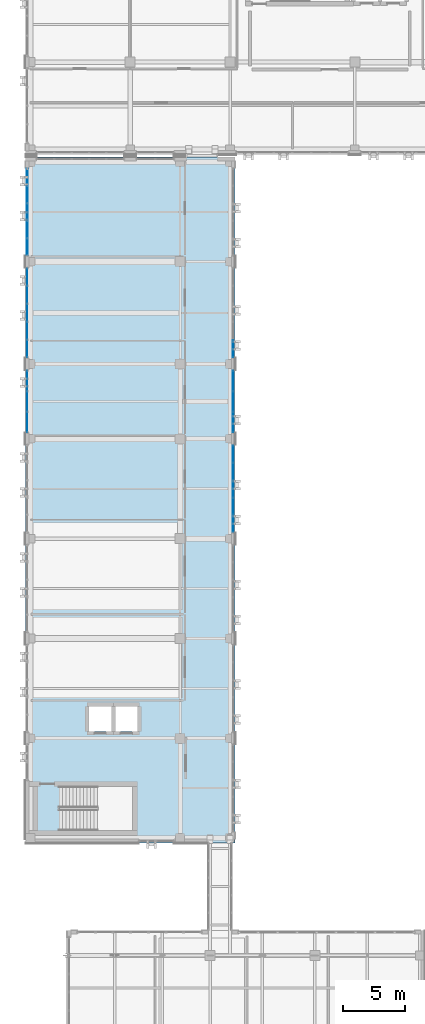
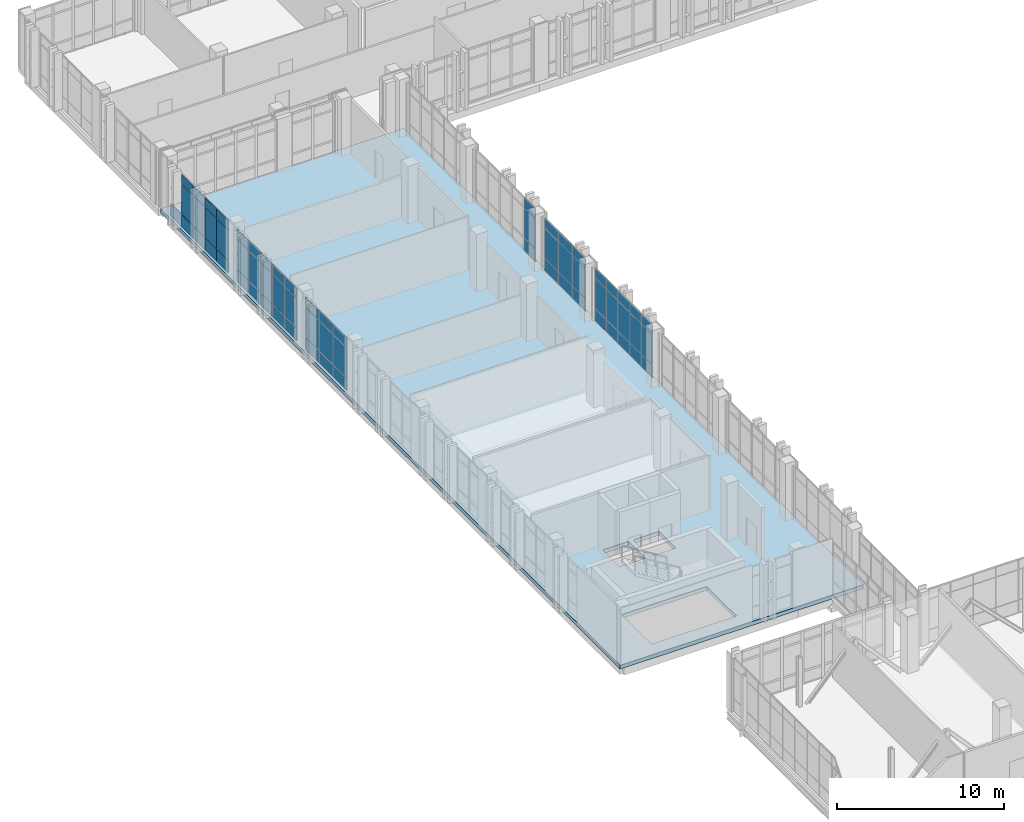
# One storey, part 123 of 165: 64 plates, 1 slab, 6 elements without a shape of their own.
"""IFC4 building model written with IfcOpenShell, lengths in metres."""

from ifc_helpers import new_model, si_unit, direction, frame, origin, origin_2d, place, context, subcontext, project, spatial, polyline, rectangle, outline, extrude, material, layer, layer_set, type_object, element, aggregate, save


model = new_model("IFC4")

# Units and contexts
model_context = context("Model", 3, precision=1e-05, world=origin(), true_north=direction((0.0, 1.0)))
body_context = subcontext(model_context, "Body", "Model", "MODEL_VIEW")
ifc_project = project(units=[si_unit("LENGTHUNIT", "METRE"), si_unit("AREAUNIT", "SQUARE_METRE"), si_unit("VOLUMEUNIT", "CUBIC_METRE"), si_unit("PLANEANGLEUNIT", "RADIAN"), si_unit("MASSUNIT", "GRAM", prefix="KILO")], contexts=[model_context])

# Site, building, storey
site_placement = place(None, origin())
site = spatial("IfcSite", under=ifc_project, at=site_placement, CompositionType="ELEMENT")
building_placement = place(site_placement, origin())
building = spatial("IfcBuilding", under=site, at=building_placement, Name="Qalavern Law Courts", CompositionType="ELEMENT")
storey_placement = place(building_placement, frame((0.0, 0.0, 14.39990234375)))
storey = spatial("IfcBuildingStorey", under=building, at=storey_placement, Name="L03", CompositionType="ELEMENT", Elevation=14.39990234375)

# Curtain wall, plates
ifc_material_1 = material(Name="Anodised aluminium and insulated glazing", Category="aluminium")
ifc_layer_1 = layer(ifc_material_1, 0.172119140625)
ifc_layer_set_1 = layer_set([ifc_layer_1], Name="Anodised aluminium and insulated glazing")
curtain_wall_type = type_object("IfcCurtainWallType", Name="ENV-CW-COURT", PredefinedType="USERDEFINED", material=ifc_layer_set_1)
curtain_wall_1_placement = place(storey_placement, origin())
curtain_wall_1 = element("IfcCurtainWall", 1, at=curtain_wall_1_placement, inside=storey, type_object=curtain_wall_type, Name="V3 unitised curtain wall L03 west 2", ObjectType="UNITISED CURTAIN WALL", PredefinedType="USERDEFINED")
ifc_material_2 = material(Name="Insulated low-E acoustic glazing", Category="glass")
ifc_layer_2 = layer(ifc_material_2, 0.02392578125)
ifc_layer_set_2 = layer_set([ifc_layer_2], Name="Insulated low-E acoustic glazing")
plate_type_1 = type_object("IfcPlateType", Name="ENV-CWP-24", PredefinedType="CURTAIN_PANEL", material=ifc_layer_set_2)
plate_1_placement = place(storey_placement, frame((2.1474609375, 86.367919921875, 0.048095703125), z_axis=(0.0, 0.0, 1.0), x_axis=(0.0, -1.0, 0.0)))
plate_1 = element("IfcPlate", 2, at=plate_1_placement, type_object=plate_type_1, Name="CW-03 panel 1.1", PredefinedType="CURTAIN_PANEL", context=body_context, shape_type="SweptSolid", body=[
    extrude(rectangle(XDim=1.367919921875, YDim=0.02392578125, at=origin_2d()), origin(), (0.0, 0.0, 1.0), 0.8779296875),
])
plate_2_placement = place(storey_placement, frame((2.1474609375, 86.367919921875, 0.97412109375), z_axis=(0.0, 0.0, 1.0), x_axis=(0.0, -1.0, 0.0)))
plate_2 = element("IfcPlate", 3, at=plate_2_placement, type_object=plate_type_1, Name="CW-03 panel 1.2", PredefinedType="CURTAIN_PANEL", context=body_context, shape_type="SweptSolid", body=[
    extrude(rectangle(XDim=1.367919921875, YDim=0.02392578125, at=origin_2d()), origin(), (0.0, 0.0, 1.0), 2.172119140625),
])
plate_3_placement = place(storey_placement, frame((2.1474609375, 86.367919921875, 3.1943359375), z_axis=(0.0, 0.0, 1.0), x_axis=(0.0, -1.0, 0.0)))
plate_3 = element("IfcPlate", 4, at=plate_3_placement, type_object=plate_type_1, Name="CW-03 panel 1.3", PredefinedType="CURTAIN_PANEL", context=body_context, shape_type="SweptSolid", body=[
    extrude(rectangle(XDim=1.367919921875, YDim=0.02392578125, at=origin_2d()), origin(), (0.0, 0.0, 1.0), 0.677978515625),
])
plate_4_placement = place(storey_placement, frame((2.1474609375, 84.93994140625, 0.048095703125), z_axis=(0.0, 0.0, 1.0), x_axis=(0.0, -1.0, 0.0)))
plate_4 = element("IfcPlate", 5, at=plate_4_placement, type_object=plate_type_1, Name="CW-03 panel 2.1", PredefinedType="CURTAIN_PANEL", context=body_context, shape_type="SweptSolid", body=[
    extrude(rectangle(XDim=1.39208984375, YDim=0.02392578125, at=origin_2d()), origin(), (0.0, 0.0, 1.0), 0.8779296875),
])
plate_5_placement = place(storey_placement, frame((2.1474609375, 84.93994140625, 0.97412109375), z_axis=(0.0, 0.0, 1.0), x_axis=(0.0, -1.0, 0.0)))
plate_5 = element("IfcPlate", 6, at=plate_5_placement, type_object=plate_type_1, Name="CW-03 panel 2.2", PredefinedType="CURTAIN_PANEL", context=body_context, shape_type="SweptSolid", body=[
    extrude(rectangle(XDim=1.39208984375, YDim=0.02392578125, at=origin_2d()), origin(), (0.0, 0.0, 1.0), 2.172119140625),
])
plate_6_placement = place(storey_placement, frame((2.1474609375, 84.93994140625, 3.1943359375), z_axis=(0.0, 0.0, 1.0), x_axis=(0.0, -1.0, 0.0)))
plate_6 = element("IfcPlate", 7, at=plate_6_placement, type_object=plate_type_1, Name="CW-03 panel 2.3", PredefinedType="CURTAIN_PANEL", context=body_context, shape_type="SweptSolid", body=[
    extrude(rectangle(XDim=1.39208984375, YDim=0.02392578125, at=origin_2d()), origin(), (0.0, 0.0, 1.0), 0.677978515625),
])
plate_7_placement = place(storey_placement, frame((2.1474609375, 83.5, 0.048095703125), z_axis=(0.0, 0.0, 1.0), x_axis=(0.0, -1.0, 0.0)))
plate_7 = element("IfcPlate", 8, at=plate_7_placement, type_object=plate_type_1, Name="CW-03 panel 3.1", PredefinedType="CURTAIN_PANEL", context=body_context, shape_type="SweptSolid", body=[
    extrude(rectangle(XDim=1.39208984375, YDim=0.02392578125, at=origin_2d()), origin(), (0.0, 0.0, 1.0), 0.8779296875),
])
plate_8_placement = place(storey_placement, frame((2.1474609375, 83.5, 0.97412109375), z_axis=(0.0, 0.0, 1.0), x_axis=(0.0, -1.0, 0.0)))
plate_8 = element("IfcPlate", 9, at=plate_8_placement, type_object=plate_type_1, Name="CW-03 panel 3.2", PredefinedType="CURTAIN_PANEL", context=body_context, shape_type="SweptSolid", body=[
    extrude(rectangle(XDim=1.39208984375, YDim=0.02392578125, at=origin_2d()), origin(), (0.0, 0.0, 1.0), 2.172119140625),
])
plate_9_placement = place(storey_placement, frame((2.1474609375, 83.5, 3.1943359375), z_axis=(0.0, 0.0, 1.0), x_axis=(0.0, -1.0, 0.0)))
plate_9 = element("IfcPlate", 10, at=plate_9_placement, type_object=plate_type_1, Name="CW-03 panel 3.3", PredefinedType="CURTAIN_PANEL", context=body_context, shape_type="SweptSolid", body=[
    extrude(rectangle(XDim=1.39208984375, YDim=0.02392578125, at=origin_2d()), origin(), (0.0, 0.0, 1.0), 0.677978515625),
])
plate_10_placement = place(storey_placement, frame((2.1474609375, 82.06005859375, 0.048095703125), z_axis=(0.0, 0.0, 1.0), x_axis=(0.0, -1.0, 0.0)))
plate_10 = element("IfcPlate", 11, at=plate_10_placement, type_object=plate_type_1, Name="CW-03 panel 4.1", PredefinedType="CURTAIN_PANEL", context=body_context, shape_type="SweptSolid", body=[
    extrude(rectangle(XDim=1.39208984375, YDim=0.02392578125, at=origin_2d()), origin(), (0.0, 0.0, 1.0), 0.8779296875),
])
plate_11_placement = place(storey_placement, frame((2.1474609375, 82.06005859375, 0.97412109375), z_axis=(0.0, 0.0, 1.0), x_axis=(0.0, -1.0, 0.0)))
plate_11 = element("IfcPlate", 12, at=plate_11_placement, type_object=plate_type_1, Name="CW-03 panel 4.2", PredefinedType="CURTAIN_PANEL", context=body_context, shape_type="SweptSolid", body=[
    extrude(rectangle(XDim=1.39208984375, YDim=0.02392578125, at=origin_2d()), origin(), (0.0, 0.0, 1.0), 2.172119140625),
])
plate_12_placement = place(storey_placement, frame((2.1474609375, 82.06005859375, 3.1943359375), z_axis=(0.0, 0.0, 1.0), x_axis=(0.0, -1.0, 0.0)))
plate_12 = element("IfcPlate", 13, at=plate_12_placement, type_object=plate_type_1, Name="CW-03 panel 4.3", PredefinedType="CURTAIN_PANEL", context=body_context, shape_type="SweptSolid", body=[
    extrude(rectangle(XDim=1.39208984375, YDim=0.02392578125, at=origin_2d()), origin(), (0.0, 0.0, 1.0), 0.677978515625),
])
plate_13_placement = place(storey_placement, frame((2.1474609375, 80.632080078125, 0.048095703125), z_axis=(0.0, 0.0, 1.0), x_axis=(0.0, -1.0, 0.0)))
plate_13 = element("IfcPlate", 14, at=plate_13_placement, type_object=plate_type_1, Name="CW-03 panel 5.1", PredefinedType="CURTAIN_PANEL", context=body_context, shape_type="SweptSolid", body=[
    extrude(rectangle(XDim=1.367919921875, YDim=0.02392578125, at=origin_2d()), origin(), (0.0, 0.0, 1.0), 0.8779296875),
])
plate_14_placement = place(storey_placement, frame((2.1474609375, 80.632080078125, 0.97412109375), z_axis=(0.0, 0.0, 1.0), x_axis=(0.0, -1.0, 0.0)))
plate_14 = element("IfcPlate", 15, at=plate_14_placement, type_object=plate_type_1, Name="CW-03 panel 5.2", PredefinedType="CURTAIN_PANEL", context=body_context, shape_type="SweptSolid", body=[
    extrude(rectangle(XDim=1.367919921875, YDim=0.02392578125, at=origin_2d()), origin(), (0.0, 0.0, 1.0), 2.172119140625),
])
plate_15_placement = place(storey_placement, frame((2.1474609375, 80.632080078125, 3.1943359375), z_axis=(0.0, 0.0, 1.0), x_axis=(0.0, -1.0, 0.0)))
plate_15 = element("IfcPlate", 16, at=plate_15_placement, type_object=plate_type_1, Name="CW-03 panel 5.3", PredefinedType="CURTAIN_PANEL", context=body_context, shape_type="SweptSolid", body=[
    extrude(rectangle(XDim=1.367919921875, YDim=0.02392578125, at=origin_2d()), origin(), (0.0, 0.0, 1.0), 0.677978515625),
])
aggregate(curtain_wall_1, [plate_1, plate_2, plate_3, plate_4, plate_5, plate_6, plate_7, plate_8, plate_9, plate_10, plate_11, plate_12, plate_13, plate_14, plate_15])

curtain_wall_2_placement = place(storey_placement, origin())
curtain_wall_2 = element("IfcCurtainWall", 17, at=curtain_wall_2_placement, inside=storey, type_object=curtain_wall_type, Name="V3 unitised curtain wall L03 west 3", ObjectType="UNITISED CURTAIN WALL", PredefinedType="USERDEFINED")
ifc_layer_3 = layer(ifc_material_2, 0.028076171875)
ifc_layer_set_3 = layer_set([ifc_layer_3], Name="Insulated low-E acoustic glazing")
plate_type_2 = type_object("IfcPlateType", Name="ENV-CWP-28", PredefinedType="CURTAIN_PANEL", material=ifc_layer_set_3)
plate_16_placement = place(storey_placement, frame((2.1474609375, 78.0546875, 0.048095703125), z_axis=(0.0, 0.0, 1.0), x_axis=(0.0, -1.0, 0.0)))
plate_16 = element("IfcPlate", 18, at=plate_16_placement, type_object=plate_type_2, Name="CW-03 panel 1.1", PredefinedType="CURTAIN_PANEL", context=body_context, shape_type="SweptSolid", body=[
    extrude(rectangle(XDim=1.5947265625, YDim=0.028076171875, at=origin_2d()), origin(), (0.0, 0.0, 1.0), 0.8779296875),
])
plate_17_placement = place(storey_placement, frame((2.1474609375, 78.0546875, 0.97412109375), z_axis=(0.0, 0.0, 1.0), x_axis=(0.0, -1.0, 0.0)))
plate_17 = element("IfcPlate", 19, at=plate_17_placement, type_object=plate_type_2, Name="CW-03 panel 1.2", PredefinedType="CURTAIN_PANEL", context=body_context, shape_type="SweptSolid", body=[
    extrude(rectangle(XDim=1.5947265625, YDim=0.028076171875, at=origin_2d()), origin(), (0.0, 0.0, 1.0), 2.172119140625),
])
plate_18_placement = place(storey_placement, frame((2.1474609375, 78.0546875, 3.1943359375), z_axis=(0.0, 0.0, 1.0), x_axis=(0.0, -1.0, 0.0)))
plate_18 = element("IfcPlate", 20, at=plate_18_placement, type_object=plate_type_2, Name="CW-03 panel 1.3", PredefinedType="CURTAIN_PANEL", context=body_context, shape_type="SweptSolid", body=[
    extrude(rectangle(XDim=1.5947265625, YDim=0.028076171875, at=origin_2d()), origin(), (0.0, 0.0, 1.0), 0.677978515625),
])
plate_19_placement = place(storey_placement, frame((2.1474609375, 76.39990234375, 0.048095703125), z_axis=(0.0, 0.0, 1.0), x_axis=(0.0, -1.0, 0.0)))
plate_19 = element("IfcPlate", 21, at=plate_19_placement, type_object=plate_type_2, Name="CW-03 panel 2.1", PredefinedType="CURTAIN_PANEL", context=body_context, shape_type="SweptSolid", body=[
    extrude(rectangle(XDim=1.61865234375, YDim=0.028076171875, at=origin_2d()), origin(), (0.0, 0.0, 1.0), 0.8779296875),
])
plate_20_placement = place(storey_placement, frame((2.1474609375, 76.39990234375, 0.97412109375), z_axis=(0.0, 0.0, 1.0), x_axis=(0.0, -1.0, 0.0)))
plate_20 = element("IfcPlate", 22, at=plate_20_placement, type_object=plate_type_2, Name="CW-03 panel 2.2", PredefinedType="CURTAIN_PANEL", context=body_context, shape_type="SweptSolid", body=[
    extrude(rectangle(XDim=1.61865234375, YDim=0.028076171875, at=origin_2d()), origin(), (0.0, 0.0, 1.0), 2.172119140625),
])
plate_21_placement = place(storey_placement, frame((2.1474609375, 76.39990234375, 3.1943359375), z_axis=(0.0, 0.0, 1.0), x_axis=(0.0, -1.0, 0.0)))
plate_21 = element("IfcPlate", 23, at=plate_21_placement, type_object=plate_type_2, Name="CW-03 panel 2.3", PredefinedType="CURTAIN_PANEL", context=body_context, shape_type="SweptSolid", body=[
    extrude(rectangle(XDim=1.61865234375, YDim=0.028076171875, at=origin_2d()), origin(), (0.0, 0.0, 1.0), 0.677978515625),
])
plate_22_placement = place(storey_placement, frame((2.1474609375, 74.745361328125, 0.048095703125), z_axis=(0.0, 0.0, 1.0), x_axis=(0.0, -1.0, 0.0)))
plate_22 = element("IfcPlate", 24, at=plate_22_placement, type_object=plate_type_2, Name="CW-03 panel 3.1", PredefinedType="CURTAIN_PANEL", context=body_context, shape_type="SweptSolid", body=[
    extrude(rectangle(XDim=1.5947265625, YDim=0.028076171875, at=origin_2d()), origin(), (0.0, 0.0, 1.0), 0.8779296875),
])
plate_23_placement = place(storey_placement, frame((2.1474609375, 74.745361328125, 0.97412109375), z_axis=(0.0, 0.0, 1.0), x_axis=(0.0, -1.0, 0.0)))
plate_23 = element("IfcPlate", 25, at=plate_23_placement, type_object=plate_type_2, Name="CW-03 panel 3.2", PredefinedType="CURTAIN_PANEL", context=body_context, shape_type="SweptSolid", body=[
    extrude(rectangle(XDim=1.5947265625, YDim=0.028076171875, at=origin_2d()), origin(), (0.0, 0.0, 1.0), 2.172119140625),
])
plate_24_placement = place(storey_placement, frame((2.1474609375, 74.745361328125, 3.1943359375), z_axis=(0.0, 0.0, 1.0), x_axis=(0.0, -1.0, 0.0)))
plate_24 = element("IfcPlate", 26, at=plate_24_placement, type_object=plate_type_2, Name="CW-03 panel 3.3", PredefinedType="CURTAIN_PANEL", context=body_context, shape_type="SweptSolid", body=[
    extrude(rectangle(XDim=1.5947265625, YDim=0.028076171875, at=origin_2d()), origin(), (0.0, 0.0, 1.0), 0.677978515625),
])
aggregate(curtain_wall_2, [plate_16, plate_17, plate_18, plate_19, plate_20, plate_21, plate_22, plate_23, plate_24])

curtain_wall_3_placement = place(storey_placement, origin())
curtain_wall_3 = element("IfcCurtainWall", 27, at=curtain_wall_3_placement, inside=storey, type_object=curtain_wall_type, Name="V3 unitised curtain wall L03 east 4", ObjectType="UNITISED CURTAIN WALL", PredefinedType="USERDEFINED")
ifc_layer_4 = layer(ifc_material_2, 0.031982421875)
ifc_layer_set_4 = layer_set([ifc_layer_4], Name="Insulated low-E acoustic glazing")
plate_type_3 = type_object("IfcPlateType", Name="ENV-CWP-32", PredefinedType="CURTAIN_PANEL", material=ifc_layer_set_4)
plate_25_placement = place(storey_placement, frame((18.652587890625, 66.612060546875, 0.048095703125), z_axis=(0.0, 0.0, 1.0), x_axis=(0.0, 1.0, 0.0)))
plate_25 = element("IfcPlate", 28, at=plate_25_placement, type_object=plate_type_3, Name="CW-03 panel 1.1", PredefinedType="CURTAIN_PANEL", context=body_context, shape_type="SweptSolid", body=[
    extrude(rectangle(XDim=1.327880859375, YDim=0.031982421875, at=origin_2d()), origin(), (0.0, 0.0, 1.0), 0.8779296875),
])
plate_26_placement = place(storey_placement, frame((18.652587890625, 66.612060546875, 0.97412109375), z_axis=(0.0, 0.0, 1.0), x_axis=(0.0, 1.0, 0.0)))
plate_26 = element("IfcPlate", 29, at=plate_26_placement, type_object=plate_type_3, Name="CW-03 panel 1.2", PredefinedType="CURTAIN_PANEL", context=body_context, shape_type="SweptSolid", body=[
    extrude(rectangle(XDim=1.327880859375, YDim=0.031982421875, at=origin_2d()), origin(), (0.0, 0.0, 1.0), 2.172119140625),
])
plate_27_placement = place(storey_placement, frame((18.652587890625, 66.612060546875, 3.1943359375), z_axis=(0.0, 0.0, 1.0), x_axis=(0.0, 1.0, 0.0)))
plate_27 = element("IfcPlate", 30, at=plate_27_placement, type_object=plate_type_3, Name="CW-03 panel 1.3", PredefinedType="CURTAIN_PANEL", context=body_context, shape_type="SweptSolid", body=[
    extrude(rectangle(XDim=1.327880859375, YDim=0.031982421875, at=origin_2d()), origin(), (0.0, 0.0, 1.0), 0.677978515625),
])
plate_28_placement = place(storey_placement, frame((18.652587890625, 68.0, 0.048095703125), z_axis=(0.0, 0.0, 1.0), x_axis=(0.0, 1.0, 0.0)))
plate_28 = element("IfcPlate", 31, at=plate_28_placement, type_object=plate_type_3, Name="CW-03 panel 2.1", PredefinedType="CURTAIN_PANEL", context=body_context, shape_type="SweptSolid", body=[
    extrude(rectangle(XDim=1.35205078125, YDim=0.031982421875, at=origin_2d()), origin(), (0.0, 0.0, 1.0), 0.8779296875),
])
plate_29_placement = place(storey_placement, frame((18.652587890625, 68.0, 0.97412109375), z_axis=(0.0, 0.0, 1.0), x_axis=(0.0, 1.0, 0.0)))
plate_29 = element("IfcPlate", 32, at=plate_29_placement, type_object=plate_type_3, Name="CW-03 panel 2.2", PredefinedType="CURTAIN_PANEL", context=body_context, shape_type="SweptSolid", body=[
    extrude(rectangle(XDim=1.35205078125, YDim=0.031982421875, at=origin_2d()), origin(), (0.0, 0.0, 1.0), 2.172119140625),
])
plate_30_placement = place(storey_placement, frame((18.652587890625, 68.0, 3.1943359375), z_axis=(0.0, 0.0, 1.0), x_axis=(0.0, 1.0, 0.0)))
plate_30 = element("IfcPlate", 33, at=plate_30_placement, type_object=plate_type_3, Name="CW-03 panel 2.3", PredefinedType="CURTAIN_PANEL", context=body_context, shape_type="SweptSolid", body=[
    extrude(rectangle(XDim=1.35205078125, YDim=0.031982421875, at=origin_2d()), origin(), (0.0, 0.0, 1.0), 0.677978515625),
])
plate_31_placement = place(storey_placement, frame((18.652587890625, 69.39990234375, 0.048095703125), z_axis=(0.0, 0.0, 1.0), x_axis=(0.0, 1.0, 0.0)))
plate_31 = element("IfcPlate", 34, at=plate_31_placement, type_object=plate_type_3, Name="CW-03 panel 3.1", PredefinedType="CURTAIN_PANEL", context=body_context, shape_type="SweptSolid", body=[
    extrude(rectangle(XDim=1.35205078125, YDim=0.031982421875, at=origin_2d()), origin(), (0.0, 0.0, 1.0), 0.8779296875),
])
plate_32_placement = place(storey_placement, frame((18.652587890625, 69.39990234375, 0.97412109375), z_axis=(0.0, 0.0, 1.0), x_axis=(0.0, 1.0, 0.0)))
plate_32 = element("IfcPlate", 35, at=plate_32_placement, type_object=plate_type_3, Name="CW-03 panel 3.2", PredefinedType="CURTAIN_PANEL", context=body_context, shape_type="SweptSolid", body=[
    extrude(rectangle(XDim=1.35205078125, YDim=0.031982421875, at=origin_2d()), origin(), (0.0, 0.0, 1.0), 2.172119140625),
])
plate_33_placement = place(storey_placement, frame((18.652587890625, 69.39990234375, 3.1943359375), z_axis=(0.0, 0.0, 1.0), x_axis=(0.0, 1.0, 0.0)))
plate_33 = element("IfcPlate", 36, at=plate_33_placement, type_object=plate_type_3, Name="CW-03 panel 3.3", PredefinedType="CURTAIN_PANEL", context=body_context, shape_type="SweptSolid", body=[
    extrude(rectangle(XDim=1.35205078125, YDim=0.031982421875, at=origin_2d()), origin(), (0.0, 0.0, 1.0), 0.677978515625),
])
plate_34_placement = place(storey_placement, frame((18.652587890625, 70.800048828125, 0.048095703125), z_axis=(0.0, 0.0, 1.0), x_axis=(0.0, 1.0, 0.0)))
plate_34 = element("IfcPlate", 37, at=plate_34_placement, type_object=plate_type_3, Name="CW-03 panel 4.1", PredefinedType="CURTAIN_PANEL", context=body_context, shape_type="SweptSolid", body=[
    extrude(rectangle(XDim=1.35205078125, YDim=0.031982421875, at=origin_2d()), origin(), (0.0, 0.0, 1.0), 0.8779296875),
])
plate_35_placement = place(storey_placement, frame((18.652587890625, 70.800048828125, 0.97412109375), z_axis=(0.0, 0.0, 1.0), x_axis=(0.0, 1.0, 0.0)))
plate_35 = element("IfcPlate", 38, at=plate_35_placement, type_object=plate_type_3, Name="CW-03 panel 4.2", PredefinedType="CURTAIN_PANEL", context=body_context, shape_type="SweptSolid", body=[
    extrude(rectangle(XDim=1.35205078125, YDim=0.031982421875, at=origin_2d()), origin(), (0.0, 0.0, 1.0), 2.172119140625),
])
plate_36_placement = place(storey_placement, frame((18.652587890625, 70.800048828125, 3.1943359375), z_axis=(0.0, 0.0, 1.0), x_axis=(0.0, 1.0, 0.0)))
plate_36 = element("IfcPlate", 39, at=plate_36_placement, type_object=plate_type_3, Name="CW-03 panel 4.3", PredefinedType="CURTAIN_PANEL", context=body_context, shape_type="SweptSolid", body=[
    extrude(rectangle(XDim=1.35205078125, YDim=0.031982421875, at=origin_2d()), origin(), (0.0, 0.0, 1.0), 0.677978515625),
])
plate_37_placement = place(storey_placement, frame((18.652587890625, 72.18798828125, 0.048095703125), z_axis=(0.0, 0.0, 1.0), x_axis=(0.0, 1.0, 0.0)))
plate_37 = element("IfcPlate", 40, at=plate_37_placement, type_object=plate_type_3, Name="CW-03 panel 5.1", PredefinedType="CURTAIN_PANEL", context=body_context, shape_type="SweptSolid", body=[
    extrude(rectangle(XDim=1.327880859375, YDim=0.031982421875, at=origin_2d()), origin(), (0.0, 0.0, 1.0), 0.8779296875),
])
plate_38_placement = place(storey_placement, frame((18.652587890625, 72.18798828125, 0.97412109375), z_axis=(0.0, 0.0, 1.0), x_axis=(0.0, 1.0, 0.0)))
plate_38 = element("IfcPlate", 41, at=plate_38_placement, type_object=plate_type_3, Name="CW-03 panel 5.2", PredefinedType="CURTAIN_PANEL", context=body_context, shape_type="SweptSolid", body=[
    extrude(rectangle(XDim=1.327880859375, YDim=0.031982421875, at=origin_2d()), origin(), (0.0, 0.0, 1.0), 2.172119140625),
])
plate_39_placement = place(storey_placement, frame((18.652587890625, 72.18798828125, 3.1943359375), z_axis=(0.0, 0.0, 1.0), x_axis=(0.0, 1.0, 0.0)))
plate_39 = element("IfcPlate", 42, at=plate_39_placement, type_object=plate_type_3, Name="CW-03 panel 5.3", PredefinedType="CURTAIN_PANEL", context=body_context, shape_type="SweptSolid", body=[
    extrude(rectangle(XDim=1.327880859375, YDim=0.031982421875, at=origin_2d()), origin(), (0.0, 0.0, 1.0), 0.677978515625),
])
aggregate(curtain_wall_3, [plate_25, plate_26, plate_27, plate_28, plate_29, plate_30, plate_31, plate_32, plate_33, plate_34, plate_35, plate_36, plate_37, plate_38, plate_39])

curtain_wall_4_placement = place(storey_placement, origin())
curtain_wall_4 = element("IfcCurtainWall", 43, at=curtain_wall_4_placement, inside=storey, type_object=curtain_wall_type, Name="V3 unitised curtain wall L03 east 5", ObjectType="UNITISED CURTAIN WALL", PredefinedType="USERDEFINED")
ifc_layer_5 = layer(ifc_material_2, 0.035888671875)
ifc_layer_set_5 = layer_set([ifc_layer_5], Name="Insulated low-E acoustic glazing")
plate_type_4 = type_object("IfcPlateType", Name="ENV-CWP-36", PredefinedType="CURTAIN_PANEL", material=ifc_layer_set_5)
plate_40_placement = place(storey_placement, frame((18.652587890625, 74.745361328125, 0.048095703125), z_axis=(0.0, 0.0, 1.0), x_axis=(0.0, 1.0, 0.0)))
plate_40 = element("IfcPlate", 44, at=plate_40_placement, type_object=plate_type_4, Name="CW-03 panel 1.1", PredefinedType="CURTAIN_PANEL", context=body_context, shape_type="SweptSolid", body=[
    extrude(rectangle(XDim=1.5947265625, YDim=0.035888671875, at=origin_2d()), origin(), (0.0, 0.0, 1.0), 0.8779296875),
])
plate_41_placement = place(storey_placement, frame((18.652587890625, 74.745361328125, 0.97412109375), z_axis=(0.0, 0.0, 1.0), x_axis=(0.0, 1.0, 0.0)))
plate_41 = element("IfcPlate", 45, at=plate_41_placement, type_object=plate_type_4, Name="CW-03 panel 1.2", PredefinedType="CURTAIN_PANEL", context=body_context, shape_type="SweptSolid", body=[
    extrude(rectangle(XDim=1.5947265625, YDim=0.035888671875, at=origin_2d()), origin(), (0.0, 0.0, 1.0), 2.172119140625),
])
plate_42_placement = place(storey_placement, frame((18.652587890625, 74.745361328125, 3.1943359375), z_axis=(0.0, 0.0, 1.0), x_axis=(0.0, 1.0, 0.0)))
plate_42 = element("IfcPlate", 46, at=plate_42_placement, type_object=plate_type_4, Name="CW-03 panel 1.3", PredefinedType="CURTAIN_PANEL", context=body_context, shape_type="SweptSolid", body=[
    extrude(rectangle(XDim=1.5947265625, YDim=0.035888671875, at=origin_2d()), origin(), (0.0, 0.0, 1.0), 0.677978515625),
])
plate_43_placement = place(storey_placement, frame((18.652587890625, 76.39990234375, 0.048095703125), z_axis=(0.0, 0.0, 1.0), x_axis=(0.0, 1.0, 0.0)))
plate_43 = element("IfcPlate", 47, at=plate_43_placement, type_object=plate_type_4, Name="CW-03 panel 2.1", PredefinedType="CURTAIN_PANEL", context=body_context, shape_type="SweptSolid", body=[
    extrude(rectangle(XDim=1.61865234375, YDim=0.035888671875, at=origin_2d()), origin(), (0.0, 0.0, 1.0), 0.8779296875),
])
plate_44_placement = place(storey_placement, frame((18.652587890625, 76.39990234375, 0.97412109375), z_axis=(0.0, 0.0, 1.0), x_axis=(0.0, 1.0, 0.0)))
plate_44 = element("IfcPlate", 48, at=plate_44_placement, type_object=plate_type_4, Name="CW-03 panel 2.2", PredefinedType="CURTAIN_PANEL", context=body_context, shape_type="SweptSolid", body=[
    extrude(rectangle(XDim=1.61865234375, YDim=0.035888671875, at=origin_2d()), origin(), (0.0, 0.0, 1.0), 2.172119140625),
])
plate_45_placement = place(storey_placement, frame((18.652587890625, 76.39990234375, 3.1943359375), z_axis=(0.0, 0.0, 1.0), x_axis=(0.0, 1.0, 0.0)))
plate_45 = element("IfcPlate", 49, at=plate_45_placement, type_object=plate_type_4, Name="CW-03 panel 2.3", PredefinedType="CURTAIN_PANEL", context=body_context, shape_type="SweptSolid", body=[
    extrude(rectangle(XDim=1.61865234375, YDim=0.035888671875, at=origin_2d()), origin(), (0.0, 0.0, 1.0), 0.677978515625),
])
plate_46_placement = place(storey_placement, frame((18.652587890625, 78.0546875, 0.048095703125), z_axis=(0.0, 0.0, 1.0), x_axis=(0.0, 1.0, 0.0)))
plate_46 = element("IfcPlate", 50, at=plate_46_placement, type_object=plate_type_4, Name="CW-03 panel 3.1", PredefinedType="CURTAIN_PANEL", context=body_context, shape_type="SweptSolid", body=[
    extrude(rectangle(XDim=1.5947265625, YDim=0.035888671875, at=origin_2d()), origin(), (0.0, 0.0, 1.0), 0.8779296875),
])
plate_47_placement = place(storey_placement, frame((18.652587890625, 78.0546875, 0.97412109375), z_axis=(0.0, 0.0, 1.0), x_axis=(0.0, 1.0, 0.0)))
plate_47 = element("IfcPlate", 51, at=plate_47_placement, type_object=plate_type_4, Name="CW-03 panel 3.2", PredefinedType="CURTAIN_PANEL", context=body_context, shape_type="SweptSolid", body=[
    extrude(rectangle(XDim=1.5947265625, YDim=0.035888671875, at=origin_2d()), origin(), (0.0, 0.0, 1.0), 2.172119140625),
])
plate_48_placement = place(storey_placement, frame((18.652587890625, 78.0546875, 3.1943359375), z_axis=(0.0, 0.0, 1.0), x_axis=(0.0, 1.0, 0.0)))
plate_48 = element("IfcPlate", 52, at=plate_48_placement, type_object=plate_type_4, Name="CW-03 panel 3.3", PredefinedType="CURTAIN_PANEL", context=body_context, shape_type="SweptSolid", body=[
    extrude(rectangle(XDim=1.5947265625, YDim=0.035888671875, at=origin_2d()), origin(), (0.0, 0.0, 1.0), 0.677978515625),
])
aggregate(curtain_wall_4, [plate_40, plate_41, plate_42, plate_43, plate_44, plate_45, plate_46, plate_47, plate_48])

curtain_wall_5_placement = place(storey_placement, origin())
curtain_wall_5 = element("IfcCurtainWall", 53, at=curtain_wall_5_placement, inside=storey, type_object=curtain_wall_type, Name="V3 unitised curtain wall L03 east 6", ObjectType="UNITISED CURTAIN WALL", PredefinedType="USERDEFINED")
ifc_layer_6 = layer(ifc_material_2, 0.0400390625)
ifc_layer_set_6 = layer_set([ifc_layer_6], Name="Insulated low-E acoustic glazing")
plate_type_5 = type_object("IfcPlateType", Name="ENV-CWP-40", PredefinedType="CURTAIN_PANEL", material=ifc_layer_set_6)
plate_49_placement = place(storey_placement, frame((18.652587890625, 80.632080078125, 0.048095703125), z_axis=(0.0, 0.0, 1.0), x_axis=(0.0, 1.0, 0.0)))
plate_49 = element("IfcPlate", 54, at=plate_49_placement, type_object=plate_type_5, Name="CW-03 panel 1.1", PredefinedType="CURTAIN_PANEL", context=body_context, shape_type="SweptSolid", body=[
    extrude(rectangle(XDim=1.367919921875, YDim=0.0400390625, at=origin_2d()), origin(), (0.0, 0.0, 1.0), 0.8779296875),
])
plate_50_placement = place(storey_placement, frame((18.652587890625, 80.632080078125, 0.97412109375), z_axis=(0.0, 0.0, 1.0), x_axis=(0.0, 1.0, 0.0)))
plate_50 = element("IfcPlate", 55, at=plate_50_placement, type_object=plate_type_5, Name="CW-03 panel 1.2", PredefinedType="CURTAIN_PANEL", context=body_context, shape_type="SweptSolid", body=[
    extrude(rectangle(XDim=1.367919921875, YDim=0.0400390625, at=origin_2d()), origin(), (0.0, 0.0, 1.0), 2.172119140625),
])
plate_51_placement = place(storey_placement, frame((18.652587890625, 80.632080078125, 3.1943359375), z_axis=(0.0, 0.0, 1.0), x_axis=(0.0, 1.0, 0.0)))
plate_51 = element("IfcPlate", 56, at=plate_51_placement, type_object=plate_type_5, Name="CW-03 panel 1.3", PredefinedType="CURTAIN_PANEL", context=body_context, shape_type="SweptSolid", body=[
    extrude(rectangle(XDim=1.367919921875, YDim=0.0400390625, at=origin_2d()), origin(), (0.0, 0.0, 1.0), 0.677978515625),
])
aggregate(curtain_wall_5, [plate_49, plate_50, plate_51])

curtain_wall_6_placement = place(storey_placement, origin())
curtain_wall_6 = element("IfcCurtainWall", 57, at=curtain_wall_6_placement, inside=storey, type_object=curtain_wall_type, Name="V3 unitised curtain wall L03 west 1", ObjectType="UNITISED CURTAIN WALL", PredefinedType="USERDEFINED")
ifc_layer_7 = layer(ifc_material_2, 0.052001953125)
ifc_layer_set_7 = layer_set([ifc_layer_7], Name="Insulated low-E acoustic glazing")
plate_type_6 = type_object("IfcPlateType", Name="ENV-CWP-52", PredefinedType="CURTAIN_PANEL", material=ifc_layer_set_7)
plate_52_placement = place(storey_placement, frame((2.1474609375, 94.3701171875, 0.048095703125), z_axis=(0.0, 0.0, 1.0), x_axis=(0.0, -1.0, 0.0)))
plate_52 = element("IfcPlate", 58, at=plate_52_placement, type_object=plate_type_6, Name="CW-03 panel 1.1", PredefinedType="CURTAIN_PANEL", context=body_context, shape_type="SweptSolid", body=[
    extrude(rectangle(XDim=1.323974609375, YDim=0.052001953125, at=origin_2d()), origin(), (0.0, 0.0, 1.0), 0.8779296875),
])
plate_53_placement = place(storey_placement, frame((2.1474609375, 92.986083984375, 0.048095703125), z_axis=(0.0, 0.0, 1.0), x_axis=(0.0, -1.0, 0.0)))
plate_53 = element("IfcPlate", 59, at=plate_53_placement, type_object=plate_type_6, Name="CW-03 panel 2.1", PredefinedType="CURTAIN_PANEL", context=body_context, shape_type="SweptSolid", body=[
    extrude(rectangle(XDim=1.347900390625, YDim=0.052001953125, at=origin_2d()), origin(), (0.0, 0.0, 1.0), 0.8779296875),
])
plate_54_placement = place(storey_placement, frame((2.1474609375, 92.986083984375, 0.97412109375), z_axis=(0.0, 0.0, 1.0), x_axis=(0.0, -1.0, 0.0)))
plate_54 = element("IfcPlate", 60, at=plate_54_placement, type_object=plate_type_6, Name="CW-03 panel 2.2", PredefinedType="CURTAIN_PANEL", context=body_context, shape_type="SweptSolid", body=[
    extrude(rectangle(XDim=1.347900390625, YDim=0.052001953125, at=origin_2d()), origin(), (0.0, 0.0, 1.0), 2.172119140625),
])
plate_55_placement = place(storey_placement, frame((2.1474609375, 92.986083984375, 3.1943359375), z_axis=(0.0, 0.0, 1.0), x_axis=(0.0, -1.0, 0.0)))
plate_55 = element("IfcPlate", 61, at=plate_55_placement, type_object=plate_type_6, Name="CW-03 panel 2.3", PredefinedType="CURTAIN_PANEL", context=body_context, shape_type="SweptSolid", body=[
    extrude(rectangle(XDim=1.347900390625, YDim=0.052001953125, at=origin_2d()), origin(), (0.0, 0.0, 1.0), 0.677978515625),
])
plate_56_placement = place(storey_placement, frame((2.1474609375, 91.590087890625, 0.048095703125), z_axis=(0.0, 0.0, 1.0), x_axis=(0.0, -1.0, 0.0)))
plate_56 = element("IfcPlate", 62, at=plate_56_placement, type_object=plate_type_6, Name="CW-03 panel 3.1", PredefinedType="CURTAIN_PANEL", context=body_context, shape_type="SweptSolid", body=[
    extrude(rectangle(XDim=1.347900390625, YDim=0.052001953125, at=origin_2d()), origin(), (0.0, 0.0, 1.0), 0.8779296875),
])
plate_57_placement = place(storey_placement, frame((2.1474609375, 91.590087890625, 0.97412109375), z_axis=(0.0, 0.0, 1.0), x_axis=(0.0, -1.0, 0.0)))
plate_57 = element("IfcPlate", 63, at=plate_57_placement, type_object=plate_type_6, Name="CW-03 panel 3.2", PredefinedType="CURTAIN_PANEL", context=body_context, shape_type="SweptSolid", body=[
    extrude(rectangle(XDim=1.347900390625, YDim=0.052001953125, at=origin_2d()), origin(), (0.0, 0.0, 1.0), 2.172119140625),
])
plate_58_placement = place(storey_placement, frame((2.1474609375, 91.590087890625, 3.1943359375), z_axis=(0.0, 0.0, 1.0), x_axis=(0.0, -1.0, 0.0)))
plate_58 = element("IfcPlate", 64, at=plate_58_placement, type_object=plate_type_6, Name="CW-03 panel 3.3", PredefinedType="CURTAIN_PANEL", context=body_context, shape_type="SweptSolid", body=[
    extrude(rectangle(XDim=1.347900390625, YDim=0.052001953125, at=origin_2d()), origin(), (0.0, 0.0, 1.0), 0.677978515625),
])
plate_59_placement = place(storey_placement, frame((2.1474609375, 90.194091796875, 0.048095703125), z_axis=(0.0, 0.0, 1.0), x_axis=(0.0, -1.0, 0.0)))
plate_59 = element("IfcPlate", 65, at=plate_59_placement, type_object=plate_type_6, Name="CW-03 panel 4.1", PredefinedType="CURTAIN_PANEL", context=body_context, shape_type="SweptSolid", body=[
    extrude(rectangle(XDim=1.347900390625, YDim=0.052001953125, at=origin_2d()), origin(), (0.0, 0.0, 1.0), 0.8779296875),
])
plate_60_placement = place(storey_placement, frame((2.1474609375, 90.194091796875, 0.97412109375), z_axis=(0.0, 0.0, 1.0), x_axis=(0.0, -1.0, 0.0)))
plate_60 = element("IfcPlate", 66, at=plate_60_placement, type_object=plate_type_6, Name="CW-03 panel 4.2", PredefinedType="CURTAIN_PANEL", context=body_context, shape_type="SweptSolid", body=[
    extrude(rectangle(XDim=1.347900390625, YDim=0.052001953125, at=origin_2d()), origin(), (0.0, 0.0, 1.0), 2.172119140625),
])
plate_61_placement = place(storey_placement, frame((2.1474609375, 90.194091796875, 3.1943359375), z_axis=(0.0, 0.0, 1.0), x_axis=(0.0, -1.0, 0.0)))
plate_61 = element("IfcPlate", 67, at=plate_61_placement, type_object=plate_type_6, Name="CW-03 panel 4.3", PredefinedType="CURTAIN_PANEL", context=body_context, shape_type="SweptSolid", body=[
    extrude(rectangle(XDim=1.347900390625, YDim=0.052001953125, at=origin_2d()), origin(), (0.0, 0.0, 1.0), 0.677978515625),
])
plate_62_placement = place(storey_placement, frame((2.1474609375, 88.81005859375, 0.048095703125), z_axis=(0.0, 0.0, 1.0), x_axis=(0.0, -1.0, 0.0)))
plate_62 = element("IfcPlate", 68, at=plate_62_placement, type_object=plate_type_6, Name="CW-03 panel 5.1", PredefinedType="CURTAIN_PANEL", context=body_context, shape_type="SweptSolid", body=[
    extrude(rectangle(XDim=1.323974609375, YDim=0.052001953125, at=origin_2d()), origin(), (0.0, 0.0, 1.0), 0.8779296875),
])
plate_63_placement = place(storey_placement, frame((2.1474609375, 88.81005859375, 0.97412109375), z_axis=(0.0, 0.0, 1.0), x_axis=(0.0, -1.0, 0.0)))
plate_63 = element("IfcPlate", 69, at=plate_63_placement, type_object=plate_type_6, Name="CW-03 panel 5.2", PredefinedType="CURTAIN_PANEL", context=body_context, shape_type="SweptSolid", body=[
    extrude(rectangle(XDim=1.323974609375, YDim=0.052001953125, at=origin_2d()), origin(), (0.0, 0.0, 1.0), 2.172119140625),
])
plate_64_placement = place(storey_placement, frame((2.1474609375, 88.81005859375, 3.1943359375), z_axis=(0.0, 0.0, 1.0), x_axis=(0.0, -1.0, 0.0)))
plate_64 = element("IfcPlate", 70, at=plate_64_placement, type_object=plate_type_6, Name="CW-03 panel 5.3", PredefinedType="CURTAIN_PANEL", context=body_context, shape_type="SweptSolid", body=[
    extrude(rectangle(XDim=1.323974609375, YDim=0.052001953125, at=origin_2d()), origin(), (0.0, 0.0, 1.0), 0.677978515625),
])
aggregate(curtain_wall_6, [plate_52, plate_53, plate_54, plate_55, plate_56, plate_57, plate_58, plate_59, plate_60, plate_61, plate_62, plate_63, plate_64])

# Slab
ifc_material_3 = material(Name="Concrete C40/50", Category="concrete")
ifc_layer_8 = layer(ifc_material_3, 0.284912109375)
ifc_layer_set_8 = layer_set([ifc_layer_8], Name="Concrete C40/50")
slab_type = type_object("IfcSlabType", Name="STR-SLB-L03-285", PredefinedType="FLOOR", material=ifc_layer_set_8)
slab_placement = place(storey_placement, frame((0.0, 0.0, -0.284912109375)))
element("IfcSlab", 71, at=slab_placement, inside=storey, type_object=slab_type, Name="V3 floor slab L03", PredefinedType="FLOOR", context=body_context, shape_type="SweptSolid", body=[
    extrude(outline(polyline([(2.0, 41.02001953125), (18.800048828125, 41.02001953125), (18.800048828125, 95.97998046875), (2.0, 95.97998046875), (2.0, 41.02001953125)]), holes=[polyline([(4.739990234375, 42.0), (10.60009765625, 42.0), (10.60009765625, 45.550048828125), (4.739990234375, 45.550048828125), (4.739990234375, 42.0)]), polyline([(7.10009765625, 49.949951171875), (8.89990234375, 49.949951171875), (8.89990234375, 51.949951171875), (7.10009765625, 51.949951171875), (7.10009765625, 49.949951171875)]), polyline([(9.199951171875, 49.949951171875), (11.0, 49.949951171875), (11.0, 51.949951171875), (9.199951171875, 51.949951171875), (9.199951171875, 49.949951171875)])]), origin(), (0.0, 0.0, 1.0), 0.284912109375),
])

save(model, "model.ifc")
